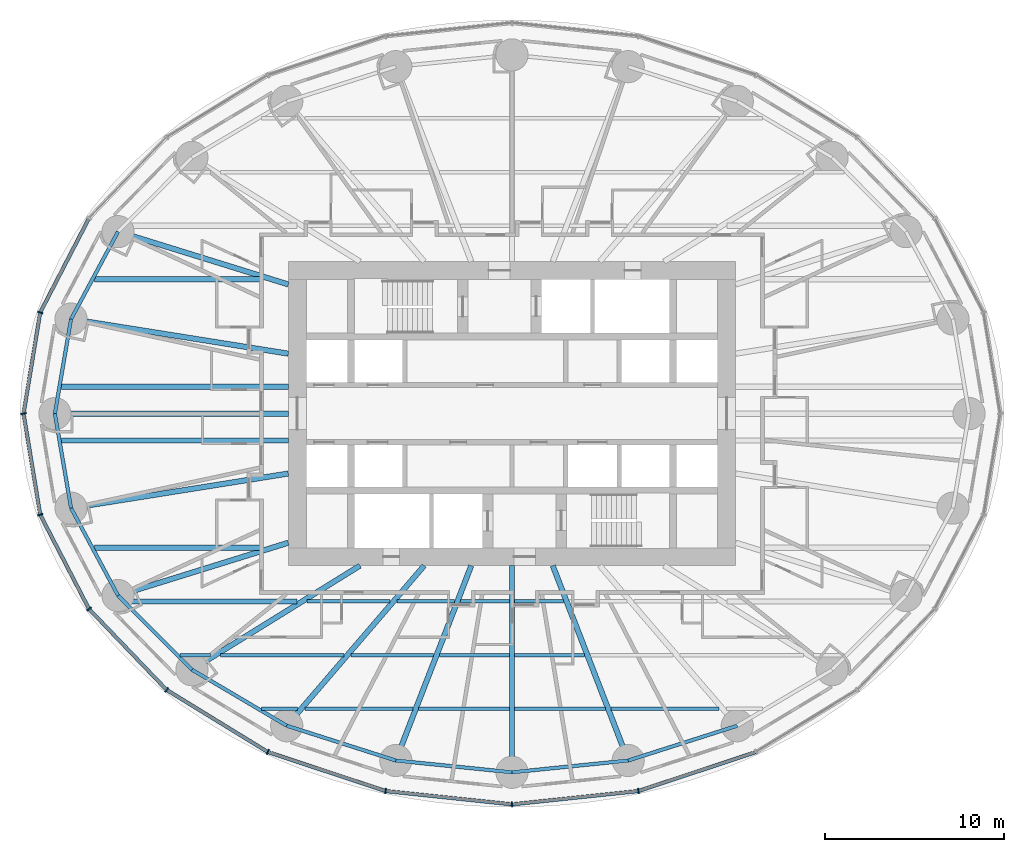
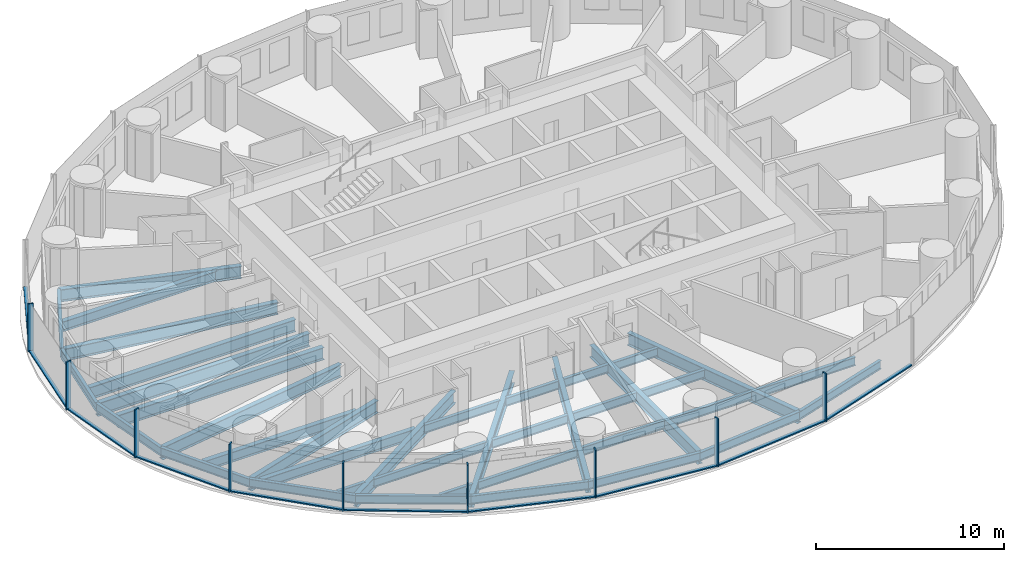
# One storey, part 2 of 14: 39 beams, 19 members, 3 elements without a shape of their own.
"""IFC4 building model written with IfcOpenShell, lengths in metres."""

import ifcopenshell
import ifcopenshell.guid

model = None  # the IFC model being written
_history = None  # IfcOwnerHistory: only IFC2X3 demands one
_inside = {}  # id of a spatial element -> (the spatial element, [elements in it])
_under = {}  # id of a project, library or spatial element -> (it, [spatial elements below it])
_declared = {}  # id of a project -> (the project, [libraries it declares])
_typed = {}  # id of a type object -> (the type object, [elements of that type])
_made_of = {}  # id of a material, layer set ... -> (it, [elements and type objects made of it])


def new_model(schema):
    """Start an empty IFC model of exactly this schema.

    Asked for "IFC4X3", IfcOpenShell would pick the latest addendum, in which some entities
    have other attributes; the version numbers below select the first issue.
    IFC2X3 requires an IfcOwnerHistory on every rooted entity: one is made here for all.
    """
    global model, _history
    if schema == "IFC4X3":
        model = ifcopenshell.file(schema_version=(4, 3, 0, 0))
    else:
        model = ifcopenshell.file(schema=schema)
    _inside.clear()
    _under.clear()
    _declared.clear()
    _typed.clear()
    _made_of.clear()
    _history = None
    if model.schema == "IFC2X3":
        org = make("IfcOrganization", Name="unknown")
        user = make(
            "IfcPersonAndOrganization",
            ThePerson=make("IfcPerson", FamilyName="unknown"),
            TheOrganization=org,
        )
        app = make(
            "IfcApplication",
            ApplicationDeveloper=org,
            Version="unknown",
            ApplicationFullName="unknown",
            ApplicationIdentifier="unknown",
        )
        _history = make(
            "IfcOwnerHistory",
            OwningUser=user,
            OwningApplication=app,
            ChangeAction="ADDED",
            CreationDate=0,
        )
    return model


def make(cls, **values):
    """One entity of the class cls with the attributes given. An attribute that is None is left unset."""
    return model.create_entity(
        cls, **{name: value for name, value in values.items() if value is not None}
    )


def rooted(cls, **values):
    """An entity with a GlobalId (a new one), such as an element, a storey or a relation."""
    return make(cls, GlobalId=ifcopenshell.guid.new(), OwnerHistory=_history, **values)


def si_unit(unit_type, name, prefix=None):
    """IfcSIUnit, for example si_unit("LENGTHUNIT", "METRE", prefix="MILLI")."""
    return make("IfcSIUnit", UnitType=unit_type, Prefix=prefix, Name=name)


def assignment(units):
    """IfcUnitAssignment: the units of a project."""
    return None if units is None else make("IfcUnitAssignment", Units=units)


def point(xyz):
    """IfcCartesianPoint."""
    return None if xyz is None else make("IfcCartesianPoint", Coordinates=xyz)


def direction(xyz):
    """IfcDirection."""
    return None if xyz is None else make("IfcDirection", DirectionRatios=xyz)


def frame(location, z_axis=None, x_axis=None):
    """IfcAxis2Placement3D, a coordinate frame: its origin and axes. An axis left out is left unset."""
    return make(
        "IfcAxis2Placement3D",
        Location=point(location),
        Axis=direction(z_axis),
        RefDirection=direction(x_axis),
    )


def frame_2d(location, x_axis=None):
    """IfcAxis2Placement2D, a coordinate frame in the plane: its origin and x axis."""
    return make(
        "IfcAxis2Placement2D", Location=point(location), RefDirection=direction(x_axis)
    )


def origin():
    """The frame at (0, 0, 0) with its axes left unset."""
    return frame((0.0, 0.0, 0.0))


def origin_2d():
    """The frame at (0, 0) in the plane with its x axis left unset."""
    return frame_2d((0.0, 0.0))


def place(relative_to, where):
    """IfcLocalPlacement: puts the frame where relative to a parent placement (None: the world)."""
    return make(
        "IfcLocalPlacement", PlacementRelTo=relative_to, RelativePlacement=where
    )


def context(
    kind, dimensions, precision=None, world=None, true_north=None, identifier=None
):
    """IfcGeometricRepresentationContext, for example the 3D "Model" context."""
    return make(
        "IfcGeometricRepresentationContext",
        ContextIdentifier=identifier,
        ContextType=kind,
        CoordinateSpaceDimension=dimensions,
        Precision=precision,
        WorldCoordinateSystem=world,
        TrueNorth=true_north,
    )


def subcontext(parent, identifier, kind, view, scale=None):
    """IfcGeometricRepresentationSubContext, for example "Body" below "Model"."""
    return make(
        "IfcGeometricRepresentationSubContext",
        ContextIdentifier=identifier,
        ContextType=kind,
        ParentContext=parent,
        TargetScale=scale,
        TargetView=view,
    )


def project(units=None, contexts=None):
    """IfcProject with its units and contexts."""
    return rooted(
        "IfcProject",
        Name="project",
        RepresentationContexts=contexts,
        UnitsInContext=assignment(units),
    )


def spatial(cls, under=None, at=None, **own):
    """A site, building, storey or space (cls), placed at a placement, below another one or the project."""
    s = rooted(cls, ObjectPlacement=at, **own)
    if under is not None:
        _under.setdefault(under.id(), (under, []))[1].append(s)
    return s


def profile(cls, at=None, kind="AREA", **sizes):
    """A parametric profile (cls). Its sizes go by their IFC names, for example OverallWidth=200.0."""
    return make(cls, ProfileType=kind, Position=at, **sizes)


def rectangle(**sizes):
    """IfcRectangleProfileDef."""
    return profile("IfcRectangleProfileDef", **sizes)


def i_section(**sizes):
    """IfcIShapeProfileDef."""
    return profile("IfcIShapeProfileDef", **sizes)


def extrude(swept, where, along, depth):
    """IfcExtrudedAreaSolid: the profile swept, set in the frame where, extruded along a direction by depth."""
    return make(
        "IfcExtrudedAreaSolid",
        SweptArea=swept,
        Position=where,
        ExtrudedDirection=direction(along),
        Depth=depth,
    )


def shape(context_of_items, identifier, shape_type, items):
    """IfcShapeRepresentation: the items that make up one representation, for example the "Body"."""
    return make(
        "IfcShapeRepresentation",
        ContextOfItems=context_of_items,
        RepresentationIdentifier=identifier,
        RepresentationType=shape_type,
        Items=items,
    )


def material(Name=None, Category=None):
    """IfcMaterial."""
    return make("IfcMaterial", Name=Name, Category=Category)


def material_profile(
    of_material, cross_section, Name=None, Category=None, Priority=None
):
    """IfcMaterialProfile: a cross section and its material."""
    return make(
        "IfcMaterialProfile",
        Name=Name,
        Material=of_material,
        Profile=cross_section,
        Priority=Priority,
        Category=Category,
    )


def profile_set(profiles, Name=None, composite=None):
    """IfcMaterialProfileSet."""
    return make(
        "IfcMaterialProfileSet",
        Name=Name,
        MaterialProfiles=profiles,
        CompositeProfile=composite,
    )


def made_of(thing, what):
    """Note that an element or type object is made of a material, layer set ...; save() writes the relation."""
    if what is not None:
        _made_of.setdefault(what.id(), (what, []))[1].append(thing)
    return thing


def type_object(cls, material=None, **own):
    """A type object (cls), such as IfcWallType, which elements share."""
    return made_of(rooted(cls, **own), material)


def element(
    cls,
    number,
    at=None,
    inside=None,
    cuts=None,
    type_object=None,
    material=None,
    context=None,
    identifier="Body",
    shape_type=None,
    held_by="IfcProductDefinitionShape",
    body=None,
    shapes=None,
    **own,
):
    """One element of the class cls, such as IfcWall. Its Tag is "e" and its number.

    at: its placement. inside: the storey or other place that contains it. cuts: it is an
    opening in that element (IfcRelVoidsElement). A single representation is given by context,
    identifier, shape_type and body (its items); several are given by shapes. held_by: the class
    of the entity that holds the representations. save() writes the other relations.
    """
    e = rooted(cls, Tag="e%d" % number, ObjectPlacement=at, **own)
    if body is not None:
        shapes = [shape(context, identifier, shape_type, body)]
    if shapes is not None:
        e.Representation = make(held_by, Representations=shapes)
    if inside is not None:
        _inside.setdefault(inside.id(), (inside, []))[1].append(e)
    if cuts is not None:
        rooted(
            "IfcRelVoidsElement", RelatingBuildingElement=cuts, RelatedOpeningElement=e
        )
    if type_object is not None:
        _typed.setdefault(type_object.id(), (type_object, []))[1].append(e)
    return made_of(e, material)


def aggregate(whole, parts):
    """IfcRelAggregates: a whole, such as a stair, and the parts it consists of."""
    return rooted("IfcRelAggregates", RelatingObject=whole, RelatedObjects=parts)


def save(model, path):
    """Write the relations noted so far, then the file.

    IfcRelAggregates (storeys below a building ...), IfcRelContainedInSpatialStructure (elements
    in a storey), IfcRelDefinesByType, IfcRelAssociatesMaterial and IfcRelDeclares: one each for
    every whole, place, type object, material and project.
    """
    for whole, parts in _under.values():
        aggregate(whole, parts)
    for where, things in _inside.values():
        rooted(
            "IfcRelContainedInSpatialStructure",
            RelatedElements=things,
            RelatingStructure=where,
        )
    for kind, things in _typed.values():
        rooted("IfcRelDefinesByType", RelatedObjects=things, RelatingType=kind)
    for what, things in _made_of.values():
        rooted("IfcRelAssociatesMaterial", RelatedObjects=things, RelatingMaterial=what)
    for by, libraries in _declared.values():
        rooted("IfcRelDeclares", RelatingContext=by, RelatedDefinitions=libraries)
    model.write(path)


model = new_model("IFC4")

# Units and contexts
model_context = context("Model", 3, precision=1e-05, world=origin(), true_north=direction((0.0, 1.0)))
body_context = subcontext(model_context, "Body", "Model", "MODEL_VIEW")
ifc_project = project(units=[si_unit("LENGTHUNIT", "METRE"), si_unit("AREAUNIT", "SQUARE_METRE"), si_unit("VOLUMEUNIT", "CUBIC_METRE"), si_unit("PLANEANGLEUNIT", "RADIAN"), si_unit("MASSUNIT", "GRAM", prefix="KILO")], contexts=[model_context])

# Site, building, storey
site_placement = place(None, origin())
site = spatial("IfcSite", under=ifc_project, at=site_placement, CompositionType="ELEMENT")
building_placement = place(site_placement, origin())
building = spatial("IfcBuilding", under=site, at=building_placement, Name="Hankou Lantern Tower", CompositionType="ELEMENT")
storey_placement = place(building_placement, frame((0.0, 0.0, 29.39990234375)))
storey = spatial("IfcBuildingStorey", under=building, at=storey_placement, Name="L05", CompositionType="ELEMENT", Elevation=29.39990234375)

# Beams
ifc_material_1 = material(Name="Steel Q355B", Category="steel")
ifc_material_profile_1 = material_profile(ifc_material_1, i_section(OverallWidth=0.199951171875, OverallDepth=0.550048828125, WebThickness=0.010009765625, FlangeThickness=0.01611328125, FilletRadius=0.012939453125, at=origin_2d()), Name="HN550x200x10x16")
ifc_profile_set_1 = profile_set([ifc_material_profile_1], Name="Steel Q355B")
beam_type_1 = type_object("IfcBeamType", Name="EB6 RING BEAM HN550x200x10x16", PredefinedType="SPANDREL", material=ifc_profile_set_1)
beam_1_placement = place(storey_placement, frame((-22.01904296875, 10.170166015625, -0.454833984375), z_axis=(-0.473609096023, -0.880735161194, 0.0), x_axis=(0.880735161194, -0.473609096023, 0.0)))
element("IfcBeam", 1, at=beam_1_placement, inside=storey, type_object=beam_type_1, Name="Ring beam R11-R12 L05", PredefinedType="SPANDREL", context=body_context, shape_type="SweptSolid", body=[
    extrude(i_section(OverallWidth=0.199951171875, OverallDepth=0.550048828125, WebThickness=0.010009765625, FlangeThickness=0.01611328125, FilletRadius=0.012939453125, at=origin_2d()), origin(), (0.0, 0.0, 1.0), 5.548828125),
])
for number, where, z_axis, x_axis, name in (
    (2, (-24.64697265625, 5.283203125, -0.454833984375), (-0.168489691988, -0.985703415685, 0.0), (0.985703415685, -0.168489691988, 0.0), "Ring beam R12-R13 L05"),
    (3, (-25.550048828125, 0.0, -0.454833984375), (0.168489691988, -0.985703415685, 0.0), (0.985703415685, 0.168489691988, 0.0), "Ring beam R13-R14 L05"),
):
    element("IfcBeam", number, at=place(storey_placement, frame(where, z_axis=z_axis, x_axis=x_axis)), inside=storey, type_object=beam_type_1, Name=name, PredefinedType="SPANDREL", context=body_context, shape_type="SweptSolid", body=[
        extrude(i_section(OverallWidth=0.199951171875, OverallDepth=0.550048828125, WebThickness=0.010009765625, FlangeThickness=0.01611328125, FilletRadius=0.012939453125, at=origin_2d()), origin(), (0.0, 0.0, 1.0), 5.35986328125),
    ])
beam_2_placement = place(storey_placement, frame((-24.64697265625, -5.283203125, -0.454833984375), z_axis=(0.473609096023, -0.880735161194, 0.0), x_axis=(0.880735161194, 0.473609096023, 0.0)))
element("IfcBeam", 4, at=beam_2_placement, inside=storey, type_object=beam_type_1, Name="Ring beam R14-R15 L05", PredefinedType="SPANDREL", context=body_context, shape_type="SweptSolid", body=[
    extrude(i_section(OverallWidth=0.199951171875, OverallDepth=0.550048828125, WebThickness=0.010009765625, FlangeThickness=0.01611328125, FilletRadius=0.012939453125, at=origin_2d()), origin(), (0.0, 0.0, 1.0), 5.548828125),
])
beam_3_placement = place(storey_placement, frame((-22.01904296875, -10.170166015625, -0.454833984375), z_axis=(0.705727798394, -0.708483079949, 0.0), x_axis=(0.708483079949, 0.705727798394, 0.0)))
element("IfcBeam", 5, at=beam_3_placement, inside=storey, type_object=beam_type_1, Name="Ring beam R15-R16 L05", PredefinedType="SPANDREL", context=body_context, shape_type="SweptSolid", body=[
    extrude(i_section(OverallWidth=0.199951171875, OverallDepth=0.550048828125, WebThickness=0.010009765625, FlangeThickness=0.01611328125, FilletRadius=0.012939453125, at=origin_2d()), origin(), (0.0, 0.0, 1.0), 5.84814453125),
])
beam_4_placement = place(storey_placement, frame((-17.891845703125, -14.3134765625, -0.454833984375), z_axis=(0.860881533543, -0.508805449268, 0.0), x_axis=(0.508805449268, 0.860881533543, 0.0)))
element("IfcBeam", 6, at=beam_4_placement, inside=storey, type_object=beam_type_1, Name="Ring beam R16-R17 L05", PredefinedType="SPANDREL", context=body_context, shape_type="SweptSolid", body=[
    extrude(i_section(OverallWidth=0.199951171875, OverallDepth=0.550048828125, WebThickness=0.010009765625, FlangeThickness=0.01611328125, FilletRadius=0.012939453125, at=origin_2d()), origin(), (0.0, 0.0, 1.0), 6.15771484375),
])
beam_5_placement = place(storey_placement, frame((-12.5908203125, -17.446533203125, -0.454833984375), z_axis=(0.952690479428, -0.303942182671, 0.0), x_axis=(0.303942182671, 0.952690479428, 0.0)))
element("IfcBeam", 7, at=beam_5_placement, inside=storey, type_object=beam_type_1, Name="Ring beam R17-R18 L05", PredefinedType="SPANDREL", context=body_context, shape_type="SweptSolid", body=[
    extrude(i_section(OverallWidth=0.199951171875, OverallDepth=0.550048828125, WebThickness=0.010009765625, FlangeThickness=0.01611328125, FilletRadius=0.012939453125, at=origin_2d()), origin(), (0.0, 0.0, 1.0), 6.398681640625),
])
for number, where, z_axis, x_axis, name in (
    (8, (-6.494873046875, -19.391357421875, -0.454833984375), (0.994896616842, -0.100899562915, 0.0), (0.100899562915, 0.994896616842, 0.0), "Ring beam R18-R19 L05"),
    (9, (0.0, -20.050048828125, -0.454833984375), (0.994896616842, 0.100899562915, 0.0), (-0.100899562915, 0.994896616842, 0.0), "Ring beam R19-R20 L05"),
):
    element("IfcBeam", number, at=place(storey_placement, frame(where, z_axis=z_axis, x_axis=x_axis)), inside=storey, type_object=beam_type_1, Name=name, PredefinedType="SPANDREL", context=body_context, shape_type="SweptSolid", body=[
        extrude(i_section(OverallWidth=0.199951171875, OverallDepth=0.550048828125, WebThickness=0.010009765625, FlangeThickness=0.01611328125, FilletRadius=0.012939453125, at=origin_2d()), origin(), (0.0, 0.0, 1.0), 6.528076171875),
    ])
beam_6_placement = place(storey_placement, frame((6.494873046875, -19.391357421875, -0.454833984375), z_axis=(0.952690479428, 0.303942182671, 0.0), x_axis=(-0.303942182671, 0.952690479428, 0.0)))
element("IfcBeam", 10, at=beam_6_placement, inside=storey, type_object=beam_type_1, Name="Ring beam R20-R21 L05", PredefinedType="SPANDREL", context=body_context, shape_type="SweptSolid", body=[
    extrude(i_section(OverallWidth=0.199951171875, OverallDepth=0.550048828125, WebThickness=0.010009765625, FlangeThickness=0.01611328125, FilletRadius=0.012939453125, at=origin_2d()), origin(), (0.0, 0.0, 1.0), 6.398681640625),
])

# Curtain wall, member
ifc_material_2 = material(Name="Glass, dark grey tinted laminated", Category="glass")
curtain_wall_type = type_object("IfcCurtainWallType", Name="CWA OUTER SKIN LOW-RISE", PredefinedType="USERDEFINED", material=ifc_material_2)
curtain_wall_1_placement = place(storey_placement, origin())
curtain_wall_1 = element("IfcCurtainWall", 11, at=curtain_wall_1_placement, inside=storey, type_object=curtain_wall_type, Name="CWA L05 OS2", ObjectType="OUTER SKIN LOW-RISE", PredefinedType="USERDEFINED")
ifc_material_3 = material(Name="Aluminium, black anodised", Category="aluminium")
ifc_material_profile_2 = material_profile(ifc_material_3, rectangle(XDim=0.080078125, YDim=0.300048828125, at=origin_2d()), Name="MU1 80X300")
ifc_profile_set_2 = profile_set([ifc_material_profile_2], Name="Aluminium, black anodised")
member_type_1 = type_object("IfcMemberType", Name="MU1 OUTER SKIN MULLION 80X300", PredefinedType="MULLION", material=ifc_profile_set_2)
member_1_placement = place(storey_placement, frame((-26.369873046875, 5.652587890625, 0.0), z_axis=(0.0, 0.0, 1.0), x_axis=(-0.317595577365, -0.94822626479, 0.0)))
member_1 = element("IfcMember", 12, at=member_1_placement, type_object=member_type_1, Name="CWA mullion 6", PredefinedType="MULLION", context=body_context, shape_type="SweptSolid", body=[
    extrude(rectangle(XDim=0.080078125, YDim=0.300048828125, at=origin_2d()), origin(), (0.0, 0.0, 1.0), 3.1201171875),
])

# Curtain wall, members
curtain_wall_2_placement = place(storey_placement, origin())
curtain_wall_2 = element("IfcCurtainWall", 13, at=curtain_wall_2_placement, inside=storey, type_object=curtain_wall_type, Name="CWA L05 OS3", ObjectType="OUTER SKIN LOW-RISE", PredefinedType="USERDEFINED")
member_2_placement = place(storey_placement, frame((-27.300048828125, 0.0, 0.0), z_axis=(0.0, 0.0, 1.0), x_axis=(0.162381515188, -0.986728049427, 0.0)))
member_2 = element("IfcMember", 14, at=member_2_placement, type_object=member_type_1, Name="CWA mullion 1", PredefinedType="MULLION", context=body_context, shape_type="SweptSolid", body=[
    extrude(rectangle(XDim=0.080078125, YDim=0.300048828125, at=origin_2d()), origin(), (0.0, 0.0, 1.0), 3.1201171875),
])
member_3_placement = place(storey_placement, frame((-26.369873046875, -5.652587890625, 0.0), z_axis=(0.0, 0.0, 1.0), x_axis=(0.317595577365, -0.94822626479, 0.0)))
member_3 = element("IfcMember", 15, at=member_3_placement, type_object=member_type_1, Name="CWA mullion 2", PredefinedType="MULLION", context=body_context, shape_type="SweptSolid", body=[
    extrude(rectangle(XDim=0.080078125, YDim=0.300048828125, at=origin_2d()), origin(), (0.0, 0.0, 1.0), 3.1201171875),
])
member_4_placement = place(storey_placement, frame((-23.642578125, -10.919921875, 0.0), z_axis=(0.0, 0.0, 1.0), x_axis=(0.585205735974, -0.810884854084, 0.0)))
member_4 = element("IfcMember", 16, at=member_4_placement, type_object=member_type_1, Name="CWA mullion 3", PredefinedType="MULLION", context=body_context, shape_type="SweptSolid", body=[
    extrude(rectangle(XDim=0.080078125, YDim=0.300048828125, at=origin_2d()), origin(), (0.0, 0.0, 1.0), 3.1201171875),
])
member_5_placement = place(storey_placement, frame((-19.303955078125, -15.443115234375, 0.0), z_axis=(0.0, 0.0, 1.0), x_axis=(0.780868809444, -0.624695047553, 0.0)))
member_5 = element("IfcMember", 17, at=member_5_placement, type_object=member_type_1, Name="CWA mullion 4", PredefinedType="MULLION", context=body_context, shape_type="SweptSolid", body=[
    extrude(rectangle(XDim=0.080078125, YDim=0.300048828125, at=origin_2d()), origin(), (0.0, 0.0, 1.0), 3.1201171875),
])
member_6_placement = place(storey_placement, frame((-13.64990234375, -18.9140625, 0.0), z_axis=(0.0, 0.0, 1.0), x_axis=(0.907841299004, -0.419313934686, 0.0)))
member_6 = element("IfcMember", 18, at=member_6_placement, type_object=member_type_1, Name="CWA mullion 5", PredefinedType="MULLION", context=body_context, shape_type="SweptSolid", body=[
    extrude(rectangle(XDim=0.080078125, YDim=0.300048828125, at=origin_2d()), origin(), (0.0, 0.0, 1.0), 3.1201171875),
])
member_7_placement = place(storey_placement, frame((-7.065673828125, -21.095703125, 0.0), z_axis=(0.0, 0.0, 1.0), x_axis=(0.977787659625, -0.209597931016, 0.0)))
member_7 = element("IfcMember", 19, at=member_7_placement, type_object=member_type_1, Name="CWA mullion 6", PredefinedType="MULLION", context=body_context, shape_type="SweptSolid", body=[
    extrude(rectangle(XDim=0.080078125, YDim=0.300048828125, at=origin_2d()), origin(), (0.0, 0.0, 1.0), 3.1201171875),
])

curtain_wall_3_placement = place(storey_placement, origin())
curtain_wall_3 = element("IfcCurtainWall", 20, at=curtain_wall_3_placement, inside=storey, type_object=curtain_wall_type, Name="CWA L05 OS4", ObjectType="OUTER SKIN LOW-RISE", PredefinedType="USERDEFINED")
member_8_placement = place(storey_placement, frame((0.0, -21.840087890625, 0.0), z_axis=(0.0, 0.0, 1.0), x_axis=(0.994499359107, 0.104742659579, 0.0)))
member_8 = element("IfcMember", 21, at=member_8_placement, type_object=member_type_1, Name="CWA mullion 1", PredefinedType="MULLION", context=body_context, shape_type="SweptSolid", body=[
    extrude(rectangle(XDim=0.080078125, YDim=0.300048828125, at=origin_2d()), origin(), (0.0, 0.0, 1.0), 3.1201171875),
])
member_9_placement = place(storey_placement, frame((7.065673828125, -21.095703125, 0.0), z_axis=(0.0, 0.0, 1.0), x_axis=(0.977787659625, 0.209597931016, 0.0)))
member_9 = element("IfcMember", 22, at=member_9_placement, type_object=member_type_1, Name="CWA mullion 2", PredefinedType="MULLION", context=body_context, shape_type="SweptSolid", body=[
    extrude(rectangle(XDim=0.080078125, YDim=0.300048828125, at=origin_2d()), origin(), (0.0, 0.0, 1.0), 3.1201171875),
])

# Beams
ifc_material_4 = material(Name="Steel Q355B", Category="steel")
ifc_material_profile_3 = material_profile(ifc_material_4, i_section(OverallWidth=0.300048828125, OverallDepth=0.800048828125, WebThickness=0.013916015625, FlangeThickness=0.02587890625, FilletRadius=0.01806640625, at=origin_2d()), Name="HN800x300x14x26")
ifc_profile_set_3 = profile_set([ifc_material_profile_3], Name="Steel Q355B")
beam_type_2 = type_object("IfcBeamType", Name="RB11 RADIAL BEAM HN800x300x14x26", PredefinedType="BEAM", material=ifc_profile_set_3)
beam_7_placement = place(storey_placement, frame((-12.5, 7.216796875, -0.579833984375), z_axis=(-0.955087327755, 0.29632447817, 0.0), x_axis=(-0.29632447817, -0.955087327755, 0.0)))
element("IfcBeam", 23, at=beam_7_placement, inside=storey, type_object=beam_type_2, Name="Radial beam R11 L05", PredefinedType="BEAM", context=body_context, shape_type="SweptSolid", body=[
    extrude(i_section(OverallWidth=0.300048828125, OverallDepth=0.800048828125, WebThickness=0.013916015625, FlangeThickness=0.02587890625, FilletRadius=0.01806640625, at=origin_2d()), origin(), (0.0, 0.0, 1.0), 9.966552734375),
])
for number, where, z_axis, x_axis, name in (
    (24, (-12.5, 3.349365234375, -0.579833984375), (-0.987563081343, 0.157223281893, 0.0), (-0.157223281893, -0.987563081343, 0.0), "Radial beam R12 L05"),
    (25, (-12.5, -3.349365234375, -0.579833984375), (-0.987563081343, -0.157223281893, 0.0), (0.157223281893, -0.987563081343, 0.0), "Radial beam R14 L05"),
):
    element("IfcBeam", number, at=place(storey_placement, frame(where, z_axis=z_axis, x_axis=x_axis)), inside=storey, type_object=beam_type_2, Name=name, PredefinedType="BEAM", context=body_context, shape_type="SweptSolid", body=[
        extrude(i_section(OverallWidth=0.300048828125, OverallDepth=0.800048828125, WebThickness=0.013916015625, FlangeThickness=0.02587890625, FilletRadius=0.01806640625, at=origin_2d()), origin(), (0.0, 0.0, 1.0), 12.300048828125),
    ])
beam_8_placement = place(storey_placement, frame((-12.5, -7.216796875, -0.579833984375), z_axis=(-0.955087327755, -0.29632447817, 0.0), x_axis=(0.29632447817, -0.955087327755, 0.0)))
element("IfcBeam", 26, at=beam_8_placement, inside=storey, type_object=beam_type_2, Name="Radial beam R15 L05", PredefinedType="BEAM", context=body_context, shape_type="SweptSolid", body=[
    extrude(i_section(OverallWidth=0.300048828125, OverallDepth=0.800048828125, WebThickness=0.013916015625, FlangeThickness=0.02587890625, FilletRadius=0.01806640625, at=origin_2d()), origin(), (0.0, 0.0, 1.0), 9.966552734375),
])
beam_9_placement = place(storey_placement, frame((-8.5, -8.5, -0.579833984375), z_axis=(-0.850286343288, -0.526320372414, 0.0), x_axis=(0.526320372414, -0.850286343288, 0.0)))
element("IfcBeam", 27, at=beam_9_placement, inside=storey, type_object=beam_type_2, Name="Radial beam R16 L05", PredefinedType="BEAM", context=body_context, shape_type="SweptSolid", body=[
    extrude(i_section(OverallWidth=0.300048828125, OverallDepth=0.800048828125, WebThickness=0.013916015625, FlangeThickness=0.02587890625, FilletRadius=0.01806640625, at=origin_2d()), origin(), (0.0, 0.0, 1.0), 11.04541015625),
])
beam_10_placement = place(storey_placement, frame((-4.907470703125, -8.5, -0.579833984375), z_axis=(-0.651519061225, -0.758632264579, 0.0), x_axis=(0.758632264579, -0.651519061225, 0.0)))
element("IfcBeam", 28, at=beam_10_placement, inside=storey, type_object=beam_type_2, Name="Radial beam R17 L05", PredefinedType="BEAM", context=body_context, shape_type="SweptSolid", body=[
    extrude(i_section(OverallWidth=0.300048828125, OverallDepth=0.800048828125, WebThickness=0.013916015625, FlangeThickness=0.02587890625, FilletRadius=0.01806640625, at=origin_2d()), origin(), (0.0, 0.0, 1.0), 11.79296875),
])
beam_11_placement = place(storey_placement, frame((-2.277587890625, -8.5, -0.579833984375), z_axis=(-0.361089103374, -0.932531318201, 0.0), x_axis=(0.932531318201, -0.361089103374, 0.0)))
element("IfcBeam", 29, at=beam_11_placement, inside=storey, type_object=beam_type_2, Name="Radial beam R18 L05", PredefinedType="BEAM", context=body_context, shape_type="SweptSolid", body=[
    extrude(i_section(OverallWidth=0.300048828125, OverallDepth=0.800048828125, WebThickness=0.013916015625, FlangeThickness=0.02587890625, FilletRadius=0.01806640625, at=origin_2d()), origin(), (0.0, 0.0, 1.0), 11.679443359375),
])
beam_12_placement = place(storey_placement, frame((0.0, -8.5, -0.579833984375), z_axis=(0.0, -1.0, 0.0), x_axis=(1.0, 0.0, 0.0)))
element("IfcBeam", 30, at=beam_12_placement, inside=storey, type_object=beam_type_2, Name="Radial beam R19 L05", PredefinedType="BEAM", context=body_context, shape_type="SweptSolid", body=[
    extrude(i_section(OverallWidth=0.300048828125, OverallDepth=0.800048828125, WebThickness=0.013916015625, FlangeThickness=0.02587890625, FilletRadius=0.01806640625, at=origin_2d()), origin(), (0.0, 0.0, 1.0), 11.550048828125),
])
beam_13_placement = place(storey_placement, frame((2.277587890625, -8.5, -0.579833984375), z_axis=(0.361089103374, -0.932531318201, 0.0), x_axis=(0.932531318201, 0.361089103374, 0.0)))
element("IfcBeam", 31, at=beam_13_placement, inside=storey, type_object=beam_type_2, Name="Radial beam R20 L05", PredefinedType="BEAM", context=body_context, shape_type="SweptSolid", body=[
    extrude(i_section(OverallWidth=0.300048828125, OverallDepth=0.800048828125, WebThickness=0.013916015625, FlangeThickness=0.02587890625, FilletRadius=0.01806640625, at=origin_2d()), origin(), (0.0, 0.0, 1.0), 11.679443359375),
])
ifc_material_5 = material(Name="Steel Q355B", Category="steel")
ifc_material_profile_4 = material_profile(ifc_material_5, i_section(OverallWidth=0.300048828125, OverallDepth=0.85009765625, WebThickness=0.01611328125, FlangeThickness=0.027099609375, FilletRadius=0.01806640625, at=origin_2d()), Name="HN850x300x16x27")
ifc_profile_set_4 = profile_set([ifc_material_profile_4], Name="Steel Q355B")
beam_type_3 = type_object("IfcBeamType", Name="RB12 RADIAL BEAM HN850x300x16x27", PredefinedType="BEAM", material=ifc_profile_set_4)
beam_14_placement = place(storey_placement, frame((-12.5, 0.0, -0.60498046875), z_axis=(-1.0, 0.0, 0.0), x_axis=(0.0, -1.0, 0.0)))
element("IfcBeam", 32, at=beam_14_placement, inside=storey, type_object=beam_type_3, Name="Radial beam R13 L05", PredefinedType="BEAM", context=body_context, shape_type="SweptSolid", body=[
    extrude(i_section(OverallWidth=0.300048828125, OverallDepth=0.85009765625, WebThickness=0.01611328125, FlangeThickness=0.027099609375, FilletRadius=0.01806640625, at=origin_2d()), origin(), (0.0, 0.0, 1.0), 13.050048828125),
])
ifc_material_6 = material(Name="Steel Q355B", Category="steel")
ifc_material_profile_5 = material_profile(ifc_material_6, i_section(OverallWidth=0.300048828125, OverallDepth=0.800048828125, WebThickness=0.013916015625, FlangeThickness=0.02587890625, FilletRadius=0.01806640625, at=origin_2d()), Name="HN800x300x14x26")
ifc_profile_set_5 = profile_set([ifc_material_profile_5], Name="Steel Q355B")
beam_type_4 = type_object("IfcBeamType", Name="SB11 SECONDARY BEAM HN800x300x14x26", PredefinedType="JOIST", material=ifc_profile_set_5)
for number, where, z_axis, x_axis, name in (
    (33, (-25.192138671875, -1.5, -0.579833984375), (1.0, 0.0, 0.0), (0.0, 1.0, 0.0), "Floor joist J029 L05"),
    (34, (-25.192138671875, 1.5, -0.579833984375), (1.0, 0.0, 0.0), (0.0, 1.0, 0.0), "Floor joist J031 L05"),
):
    element("IfcBeam", number, at=place(storey_placement, frame(where, z_axis=z_axis, x_axis=x_axis)), inside=storey, type_object=beam_type_4, Name=name, PredefinedType="JOIST", context=body_context, shape_type="SweptSolid", body=[
        extrude(i_section(OverallWidth=0.300048828125, OverallDepth=0.800048828125, WebThickness=0.013916015625, FlangeThickness=0.02587890625, FilletRadius=0.01806640625, at=origin_2d()), origin(), (0.0, 0.0, 1.0), 12.692138671875),
    ])
ifc_material_7 = material(Name="Steel Q355B", Category="steel")
ifc_material_profile_6 = material_profile(ifc_material_7, i_section(OverallWidth=0.199951171875, OverallDepth=0.550048828125, WebThickness=0.010009765625, FlangeThickness=0.01611328125, FilletRadius=0.012939453125, at=origin_2d()), Name="HN550x200x10x16")
ifc_profile_set_6 = profile_set([ifc_material_profile_6], Name="Steel Q355B")
beam_type_5 = type_object("IfcBeamType", Name="SB6 SECONDARY BEAM HN550x200x10x16", PredefinedType="JOIST", material=ifc_profile_set_6)
beam_15_placement = place(storey_placement, frame((-13.99560546875, -16.5, -0.454833984375), z_axis=(1.0, 0.0, 0.0), x_axis=(0.0, 1.0, 0.0)))
element("IfcBeam", 35, at=beam_15_placement, inside=storey, type_object=beam_type_5, Name="Floor joist J001 L05", PredefinedType="JOIST", context=body_context, shape_type="SweptSolid", body=[
    extrude(i_section(OverallWidth=0.199951171875, OverallDepth=0.550048828125, WebThickness=0.010009765625, FlangeThickness=0.01611328125, FilletRadius=0.012939453125, at=origin_2d()), origin(), (0.0, 0.0, 1.0), 2.019775390625),
])
beam_16_placement = place(storey_placement, frame((-11.580322265625, -16.5, -0.454833984375), z_axis=(1.0, 0.0, 0.0), x_axis=(0.0, 1.0, 0.0)))
element("IfcBeam", 36, at=beam_16_placement, inside=storey, type_object=beam_type_5, Name="Floor joist J002 L05", PredefinedType="JOIST", context=body_context, shape_type="SweptSolid", body=[
    extrude(i_section(OverallWidth=0.199951171875, OverallDepth=0.550048828125, WebThickness=0.010009765625, FlangeThickness=0.01611328125, FilletRadius=0.012939453125, at=origin_2d()), origin(), (0.0, 0.0, 1.0), 6.044189453125),
])
for number, where, z_axis, x_axis, name in (
    (37, (-5.21435546875, -16.5, -0.454833984375), (1.0, 0.0, 0.0), (0.0, 1.0, 0.0), "Floor joist J003 L05"),
    (38, (0.14990234375, -16.5, -0.454833984375), (1.0, 0.0, 0.0), (0.0, 1.0, 0.0), "Floor joist J004 L05"),
):
    element("IfcBeam", number, at=place(storey_placement, frame(where, z_axis=z_axis, x_axis=x_axis)), inside=storey, type_object=beam_type_5, Name=name, PredefinedType="JOIST", context=body_context, shape_type="SweptSolid", body=[
        extrude(i_section(OverallWidth=0.199951171875, OverallDepth=0.550048828125, WebThickness=0.010009765625, FlangeThickness=0.01611328125, FilletRadius=0.012939453125, at=origin_2d()), origin(), (0.0, 0.0, 1.0), 5.064453125),
    ])
beam_17_placement = place(storey_placement, frame((5.5361328125, -16.5, -0.454833984375), z_axis=(1.0, 0.0, 0.0), x_axis=(0.0, 1.0, 0.0)))
element("IfcBeam", 39, at=beam_17_placement, inside=storey, type_object=beam_type_5, Name="Floor joist J005 L05", PredefinedType="JOIST", context=body_context, shape_type="SweptSolid", body=[
    extrude(i_section(OverallWidth=0.199951171875, OverallDepth=0.550048828125, WebThickness=0.010009765625, FlangeThickness=0.01611328125, FilletRadius=0.012939453125, at=origin_2d()), origin(), (0.0, 0.0, 1.0), 6.044189453125),
])
beam_18_placement = place(storey_placement, frame((-18.560791015625, -13.5, -0.454833984375), z_axis=(1.0, 0.0, 0.0), x_axis=(0.0, 1.0, 0.0)))
element("IfcBeam", 40, at=beam_18_placement, inside=storey, type_object=beam_type_5, Name="Floor joist J007 L05", PredefinedType="JOIST", context=body_context, shape_type="SweptSolid", body=[
    extrude(i_section(OverallWidth=0.199951171875, OverallDepth=0.550048828125, WebThickness=0.010009765625, FlangeThickness=0.01611328125, FilletRadius=0.012939453125, at=origin_2d()), origin(), (0.0, 0.0, 1.0), 1.697998046875),
])
beam_19_placement = place(storey_placement, frame((-16.292724609375, -13.5, -0.454833984375), z_axis=(1.0, 0.0, 0.0), x_axis=(0.0, 1.0, 0.0)))
element("IfcBeam", 41, at=beam_19_placement, inside=storey, type_object=beam_type_5, Name="Floor joist J008 L05", PredefinedType="JOIST", context=body_context, shape_type="SweptSolid", body=[
    extrude(i_section(OverallWidth=0.199951171875, OverallDepth=0.550048828125, WebThickness=0.010009765625, FlangeThickness=0.01611328125, FilletRadius=0.012939453125, at=origin_2d()), origin(), (0.0, 0.0, 1.0), 6.893310546875),
])
beam_20_placement = place(storey_placement, frame((-9.00390625, -13.5, -0.454833984375), z_axis=(1.0, 0.0, 0.0), x_axis=(0.0, 1.0, 0.0)))
element("IfcBeam", 42, at=beam_20_placement, inside=storey, type_object=beam_type_5, Name="Floor joist J009 L05", PredefinedType="JOIST", context=body_context, shape_type="SweptSolid", body=[
    extrude(i_section(OverallWidth=0.199951171875, OverallDepth=0.550048828125, WebThickness=0.010009765625, FlangeThickness=0.01611328125, FilletRadius=0.012939453125, at=origin_2d()), origin(), (0.0, 0.0, 1.0), 4.62939453125),
])
for number, where, z_axis, x_axis, name in (
    (43, (-4.052734375, -13.5, -0.454833984375), (1.0, 0.0, 0.0), (0.0, 1.0, 0.0), "Floor joist J010 L05"),
    (44, (0.14990234375, -13.5, -0.454833984375), (1.0, 0.0, 0.0), (0.0, 1.0, 0.0), "Floor joist J011 L05"),
):
    element("IfcBeam", number, at=place(storey_placement, frame(where, z_axis=z_axis, x_axis=x_axis)), inside=storey, type_object=beam_type_5, Name=name, PredefinedType="JOIST", context=body_context, shape_type="SweptSolid", body=[
        extrude(i_section(OverallWidth=0.199951171875, OverallDepth=0.550048828125, WebThickness=0.010009765625, FlangeThickness=0.01611328125, FilletRadius=0.012939453125, at=origin_2d()), origin(), (0.0, 0.0, 1.0), 3.90283203125),
    ])
beam_21_placement = place(storey_placement, frame((-11.446044921875, -10.5, -0.454833984375), z_axis=(1.0, 0.0, 0.0), x_axis=(0.0, 1.0, 0.0)))
element("IfcBeam", 45, at=beam_21_placement, inside=storey, type_object=beam_type_5, Name="Floor joist J016 L05", PredefinedType="JOIST", context=body_context, shape_type="SweptSolid", body=[
    extrude(i_section(OverallWidth=0.199951171875, OverallDepth=0.550048828125, WebThickness=0.010009765625, FlangeThickness=0.01611328125, FilletRadius=0.012939453125, at=origin_2d()), origin(), (0.0, 0.0, 1.0), 4.623291015625),
])
beam_22_placement = place(storey_placement, frame((-6.427490234375, -10.5, -0.454833984375), z_axis=(1.0, 0.0, 0.0), x_axis=(0.0, 1.0, 0.0)))
element("IfcBeam", 46, at=beam_22_placement, inside=storey, type_object=beam_type_5, Name="Floor joist J017 L05", PredefinedType="JOIST", context=body_context, shape_type="SweptSolid", body=[
    extrude(i_section(OverallWidth=0.199951171875, OverallDepth=0.550048828125, WebThickness=0.010009765625, FlangeThickness=0.01611328125, FilletRadius=0.012939453125, at=origin_2d()), origin(), (0.0, 0.0, 1.0), 3.214599609375),
])
for number, where, z_axis, x_axis, name in (
    (47, (-2.89111328125, -10.5, -0.454833984375), (1.0, 0.0, 0.0), (0.0, 1.0, 0.0), "Floor joist J018 L05"),
    (48, (0.14990234375, -10.5, -0.454833984375), (1.0, 0.0, 0.0), (0.0, 1.0, 0.0), "Floor joist J019 L05"),
):
    element("IfcBeam", number, at=place(storey_placement, frame(where, z_axis=z_axis, x_axis=x_axis)), inside=storey, type_object=beam_type_5, Name=name, PredefinedType="JOIST", context=body_context, shape_type="SweptSolid", body=[
        extrude(i_section(OverallWidth=0.199951171875, OverallDepth=0.550048828125, WebThickness=0.010009765625, FlangeThickness=0.01611328125, FilletRadius=0.012939453125, at=origin_2d()), origin(), (0.0, 0.0, 1.0), 2.7412109375),
    ])
ifc_material_8 = material(Name="Steel Q355B", Category="steel")
ifc_material_profile_7 = material_profile(ifc_material_8, i_section(OverallWidth=0.300048828125, OverallDepth=0.64990234375, WebThickness=0.010986328125, FlangeThickness=0.01708984375, FilletRadius=0.01806640625, at=origin_2d()), Name="HN650x300x11x17")
ifc_profile_set_7 = profile_set([ifc_material_profile_7], Name="Steel Q355B")
beam_type_6 = type_object("IfcBeamType", Name="SB8 SECONDARY BEAM HN650x300x11x17", PredefinedType="JOIST", material=ifc_profile_set_7)
beam_23_placement = place(storey_placement, frame((-21.54931640625, -10.5, -0.5048828125), z_axis=(1.0, 0.0, 0.0), x_axis=(0.0, 1.0, 0.0)))
element("IfcBeam", 49, at=beam_23_placement, inside=storey, type_object=beam_type_6, Name="Floor joist J015 L05", PredefinedType="JOIST", context=body_context, shape_type="SweptSolid", body=[
    extrude(i_section(OverallWidth=0.300048828125, OverallDepth=0.64990234375, WebThickness=0.010986328125, FlangeThickness=0.01708984375, FilletRadius=0.01806640625, at=origin_2d()), origin(), (0.0, 0.0, 1.0), 9.533203125),
])
for number, where, z_axis, x_axis, name in (
    (50, (-23.341552734375, -7.5, -0.5048828125), (1.0, 0.0, 0.0), (0.0, 1.0, 0.0), "Floor joist J023 L05"),
    (51, (-23.341552734375, 7.5, -0.5048828125), (1.0, 0.0, 0.0), (0.0, 1.0, 0.0), "Floor joist J037 L05"),
):
    element("IfcBeam", number, at=place(storey_placement, frame(where, z_axis=z_axis, x_axis=x_axis)), inside=storey, type_object=beam_type_6, Name=name, PredefinedType="JOIST", context=body_context, shape_type="SweptSolid", body=[
        extrude(i_section(OverallWidth=0.300048828125, OverallDepth=0.64990234375, WebThickness=0.010986328125, FlangeThickness=0.01708984375, FilletRadius=0.01806640625, at=origin_2d()), origin(), (0.0, 0.0, 1.0), 9.4228515625),
    ])

# Member
ifc_material_9 = material(Name="Aluminium, black anodised", Category="aluminium")
ifc_material_profile_8 = material_profile(ifc_material_9, rectangle(XDim=0.199951171875, YDim=0.080078125, at=origin_2d()), Name="TR1 200X80")
ifc_profile_set_8 = profile_set([ifc_material_profile_8], Name="Aluminium, black anodised")
member_type_2 = type_object("IfcMemberType", Name="TR1 OUTER SKIN TRANSOM 200X80", PredefinedType="USERDEFINED", material=ifc_profile_set_8)
member_10_placement = place(storey_placement, frame((-23.660888671875, 10.884521484375, 0.0400390625), z_axis=(-0.459786096495, -0.888029698529, 0.0), x_axis=(0.888029698529, -0.459786096495, 0.0)))
member_10 = element("IfcMember", 52, at=member_10_placement, type_object=member_type_2, Name="CWA transom 5", ObjectType="TRANSOM", PredefinedType="USERDEFINED", context=body_context, shape_type="SweptSolid", body=[
    extrude(rectangle(XDim=0.199951171875, YDim=0.080078125, at=origin_2d()), origin(), (0.0, 0.0, 1.0), 5.8515625),
])

member_11_placement = place(storey_placement, frame((-26.376220703125, 5.613037109375, 0.0400390625), z_axis=(-0.162387045529, -0.986727139307, 0.0), x_axis=(0.986727139307, -0.162387045529, 0.0)))
member_11 = element("IfcMember", 53, at=member_11_placement, type_object=member_type_2, Name="CWA transom 6", ObjectType="TRANSOM", PredefinedType="USERDEFINED", context=body_context, shape_type="SweptSolid", body=[
    extrude(rectangle(XDim=0.199951171875, YDim=0.080078125, at=origin_2d()), origin(), (0.0, 0.0, 1.0), 5.6484375),
])

aggregate(curtain_wall_1, [member_1, member_10, member_11])

member_12_placement = place(storey_placement, frame((-27.29345703125, -0.03955078125, 0.0400390625), z_axis=(0.162387045529, -0.986727139307, 0.0), x_axis=(0.986727139307, 0.162387045529, 0.0)))
member_12 = element("IfcMember", 54, at=member_12_placement, type_object=member_type_2, Name="CWA transom 1", ObjectType="TRANSOM", PredefinedType="USERDEFINED", context=body_context, shape_type="SweptSolid", body=[
    extrude(rectangle(XDim=0.199951171875, YDim=0.080078125, at=origin_2d()), origin(), (0.0, 0.0, 1.0), 5.6484375),
])

member_13_placement = place(storey_placement, frame((-26.351318359375, -5.688232421875, 0.0400390625), z_axis=(0.459786096495, -0.888029698529, 0.0), x_axis=(0.888029698529, 0.459786096495, 0.0)))
member_13 = element("IfcMember", 55, at=member_13_placement, type_object=member_type_2, Name="CWA transom 2", ObjectType="TRANSOM", PredefinedType="USERDEFINED", context=body_context, shape_type="SweptSolid", body=[
    extrude(rectangle(XDim=0.199951171875, YDim=0.080078125, at=origin_2d()), origin(), (0.0, 0.0, 1.0), 5.8515625),
])

member_14_placement = place(storey_placement, frame((-23.61474609375, -10.948974609375, 0.0400390625), z_axis=(0.692215537374, -0.721690827029, 0.0), x_axis=(0.721690827029, 0.692215537374, 0.0)))
member_14 = element("IfcMember", 56, at=member_14_placement, type_object=member_type_2, Name="CWA transom 3", ObjectType="TRANSOM", PredefinedType="USERDEFINED", context=body_context, shape_type="SweptSolid", body=[
    extrude(rectangle(XDim=0.199951171875, YDim=0.080078125, at=origin_2d()), origin(), (0.0, 0.0, 1.0), 6.187255859375),
])

member_15_placement = place(storey_placement, frame((-19.27001953125, -15.464111328125, 0.0400390625), z_axis=(0.85223969557, -0.523151508929, 0.0), x_axis=(0.523151508929, 0.85223969557, 0.0)))
member_15 = element("IfcMember", 57, at=member_15_placement, type_object=member_type_2, Name="CWA transom 4", ObjectType="TRANSOM", PredefinedType="USERDEFINED", context=body_context, shape_type="SweptSolid", body=[
    extrude(rectangle(XDim=0.199951171875, YDim=0.080078125, at=origin_2d()), origin(), (0.0, 0.0, 1.0), 6.554443359375),
])

member_16_placement = place(storey_placement, frame((-13.612060546875, -18.926513671875, 0.0400390625), z_axis=(0.949237318771, -0.314560825044, 0.0), x_axis=(0.314560825044, 0.949237318771, 0.0)))
member_16 = element("IfcMember", 58, at=member_16_placement, type_object=member_type_2, Name="CWA transom 5", ObjectType="TRANSOM", PredefinedType="USERDEFINED", context=body_context, shape_type="SweptSolid", body=[
    extrude(rectangle(XDim=0.199951171875, YDim=0.080078125, at=origin_2d()), origin(), (0.0, 0.0, 1.0), 6.8564453125),
])

member_17_placement = place(storey_placement, frame((-7.02587890625, -21.10009765625, 0.0400390625), z_axis=(0.994502215033, -0.104715539888, 0.0), x_axis=(0.104715539888, 0.994502215033, 0.0)))
member_17 = element("IfcMember", 59, at=member_17_placement, type_object=member_type_2, Name="CWA transom 6", ObjectType="TRANSOM", PredefinedType="USERDEFINED", context=body_context, shape_type="SweptSolid", body=[
    extrude(rectangle(XDim=0.199951171875, YDim=0.080078125, at=origin_2d()), origin(), (0.0, 0.0, 1.0), 7.024658203125),
])

aggregate(curtain_wall_2, [member_2, member_3, member_4, member_5, member_6, member_7, member_12, member_13, member_14, member_15, member_16, member_17])

member_18_placement = place(storey_placement, frame((0.039794921875, -21.835693359375, 0.0400390625), z_axis=(0.994502215033, 0.104715539888, 0.0), x_axis=(-0.104715539888, 0.994502215033, 0.0)))
member_18 = element("IfcMember", 60, at=member_18_placement, type_object=member_type_2, Name="CWA transom 1", ObjectType="TRANSOM", PredefinedType="USERDEFINED", context=body_context, shape_type="SweptSolid", body=[
    extrude(rectangle(XDim=0.199951171875, YDim=0.080078125, at=origin_2d()), origin(), (0.0, 0.0, 1.0), 7.024658203125),
])

member_19_placement = place(storey_placement, frame((7.103759765625, -21.083251953125, 0.0400390625), z_axis=(0.949237318771, 0.314560825044, 0.0), x_axis=(-0.314560825044, 0.949237318771, 0.0)))
member_19 = element("IfcMember", 61, at=member_19_placement, type_object=member_type_2, Name="CWA transom 2", ObjectType="TRANSOM", PredefinedType="USERDEFINED", context=body_context, shape_type="SweptSolid", body=[
    extrude(rectangle(XDim=0.199951171875, YDim=0.080078125, at=origin_2d()), origin(), (0.0, 0.0, 1.0), 6.8564453125),
])

aggregate(curtain_wall_3, [member_8, member_9, member_18, member_19])

save(model, "model.ifc")
